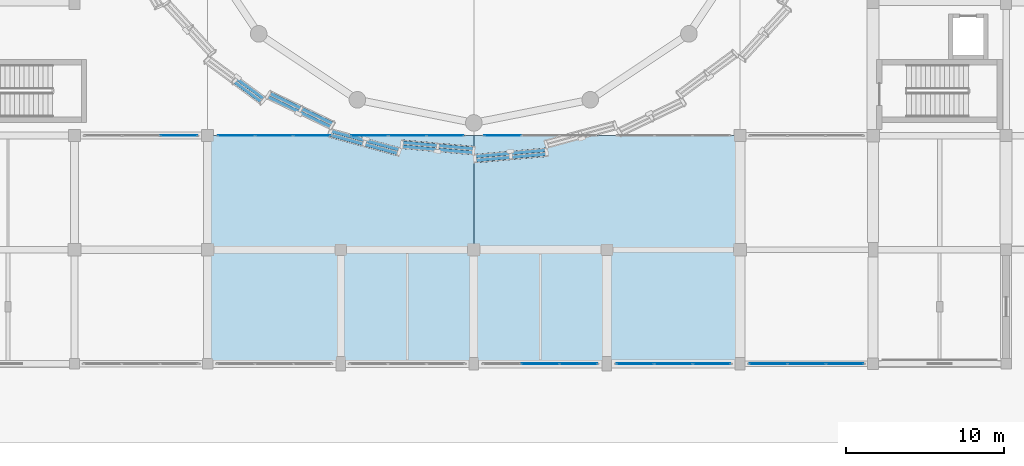
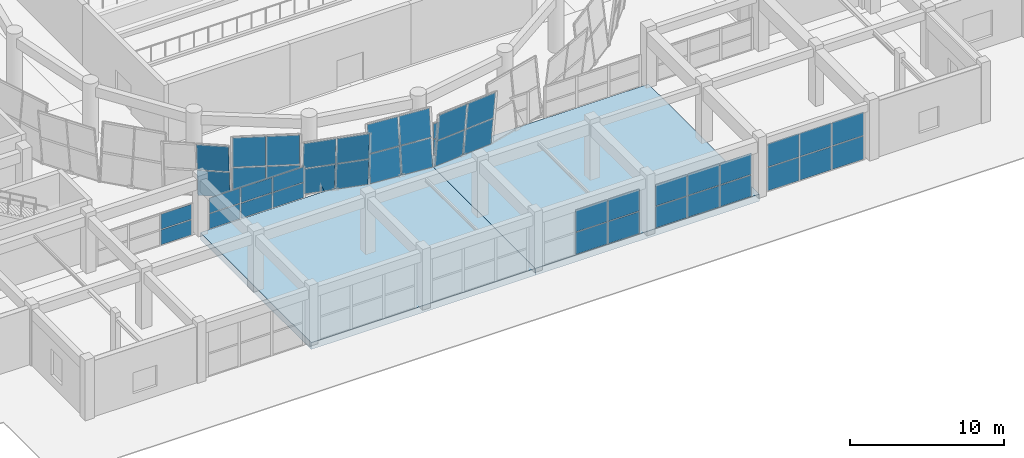
# One storey, part 40 of 72: 50 plates, 2 slabs, 12 elements without a shape of their own.
"""IFC4 building model written with IfcOpenShell, lengths in metres."""

import ifcopenshell
import ifcopenshell.guid

model = None  # the IFC model being written
_history = None  # IfcOwnerHistory: only IFC2X3 demands one
_inside = {}  # id of a spatial element -> (the spatial element, [elements in it])
_under = {}  # id of a project, library or spatial element -> (it, [spatial elements below it])
_declared = {}  # id of a project -> (the project, [libraries it declares])
_typed = {}  # id of a type object -> (the type object, [elements of that type])
_made_of = {}  # id of a material, layer set ... -> (it, [elements and type objects made of it])


def new_model(schema):
    """Start an empty IFC model of exactly this schema.

    Asked for "IFC4X3", IfcOpenShell would pick the latest addendum, in which some entities
    have other attributes; the version numbers below select the first issue.
    IFC2X3 requires an IfcOwnerHistory on every rooted entity: one is made here for all.
    """
    global model, _history
    if schema == "IFC4X3":
        model = ifcopenshell.file(schema_version=(4, 3, 0, 0))
    else:
        model = ifcopenshell.file(schema=schema)
    _inside.clear()
    _under.clear()
    _declared.clear()
    _typed.clear()
    _made_of.clear()
    _history = None
    if model.schema == "IFC2X3":
        org = make("IfcOrganization", Name="unknown")
        user = make(
            "IfcPersonAndOrganization",
            ThePerson=make("IfcPerson", FamilyName="unknown"),
            TheOrganization=org,
        )
        app = make(
            "IfcApplication",
            ApplicationDeveloper=org,
            Version="unknown",
            ApplicationFullName="unknown",
            ApplicationIdentifier="unknown",
        )
        _history = make(
            "IfcOwnerHistory",
            OwningUser=user,
            OwningApplication=app,
            ChangeAction="ADDED",
            CreationDate=0,
        )
    return model


def make(cls, **values):
    """One entity of the class cls with the attributes given. An attribute that is None is left unset."""
    return model.create_entity(
        cls, **{name: value for name, value in values.items() if value is not None}
    )


def rooted(cls, **values):
    """An entity with a GlobalId (a new one), such as an element, a storey or a relation."""
    return make(cls, GlobalId=ifcopenshell.guid.new(), OwnerHistory=_history, **values)


def si_unit(unit_type, name, prefix=None):
    """IfcSIUnit, for example si_unit("LENGTHUNIT", "METRE", prefix="MILLI")."""
    return make("IfcSIUnit", UnitType=unit_type, Prefix=prefix, Name=name)


def assignment(units):
    """IfcUnitAssignment: the units of a project."""
    return None if units is None else make("IfcUnitAssignment", Units=units)


def point(xyz):
    """IfcCartesianPoint."""
    return None if xyz is None else make("IfcCartesianPoint", Coordinates=xyz)


def direction(xyz):
    """IfcDirection."""
    return None if xyz is None else make("IfcDirection", DirectionRatios=xyz)


def frame(location, z_axis=None, x_axis=None):
    """IfcAxis2Placement3D, a coordinate frame: its origin and axes. An axis left out is left unset."""
    return make(
        "IfcAxis2Placement3D",
        Location=point(location),
        Axis=direction(z_axis),
        RefDirection=direction(x_axis),
    )


def frame_2d(location, x_axis=None):
    """IfcAxis2Placement2D, a coordinate frame in the plane: its origin and x axis."""
    return make(
        "IfcAxis2Placement2D", Location=point(location), RefDirection=direction(x_axis)
    )


def origin():
    """The frame at (0, 0, 0) with its axes left unset."""
    return frame((0.0, 0.0, 0.0))


def origin_2d():
    """The frame at (0, 0) in the plane with its x axis left unset."""
    return frame_2d((0.0, 0.0))


def place(relative_to, where):
    """IfcLocalPlacement: puts the frame where relative to a parent placement (None: the world)."""
    return make(
        "IfcLocalPlacement", PlacementRelTo=relative_to, RelativePlacement=where
    )


def context(
    kind, dimensions, precision=None, world=None, true_north=None, identifier=None
):
    """IfcGeometricRepresentationContext, for example the 3D "Model" context."""
    return make(
        "IfcGeometricRepresentationContext",
        ContextIdentifier=identifier,
        ContextType=kind,
        CoordinateSpaceDimension=dimensions,
        Precision=precision,
        WorldCoordinateSystem=world,
        TrueNorth=true_north,
    )


def subcontext(parent, identifier, kind, view, scale=None):
    """IfcGeometricRepresentationSubContext, for example "Body" below "Model"."""
    return make(
        "IfcGeometricRepresentationSubContext",
        ContextIdentifier=identifier,
        ContextType=kind,
        ParentContext=parent,
        TargetScale=scale,
        TargetView=view,
    )


def project(units=None, contexts=None):
    """IfcProject with its units and contexts."""
    return rooted(
        "IfcProject",
        Name="project",
        RepresentationContexts=contexts,
        UnitsInContext=assignment(units),
    )


def spatial(cls, under=None, at=None, **own):
    """A site, building, storey or space (cls), placed at a placement, below another one or the project."""
    s = rooted(cls, ObjectPlacement=at, **own)
    if under is not None:
        _under.setdefault(under.id(), (under, []))[1].append(s)
    return s


def polyline(points):
    """IfcPolyline through the points."""
    return make("IfcPolyline", Points=[point(p) for p in points])


def profile(cls, at=None, kind="AREA", **sizes):
    """A parametric profile (cls). Its sizes go by their IFC names, for example OverallWidth=200.0."""
    return make(cls, ProfileType=kind, Position=at, **sizes)


def rectangle(**sizes):
    """IfcRectangleProfileDef."""
    return profile("IfcRectangleProfileDef", **sizes)


def outline(outer, holes=None, kind="AREA"):
    """IfcArbitraryClosedProfileDef: a profile drawn as a closed curve; with holes, ...WithVoids."""
    if holes is None:
        return make("IfcArbitraryClosedProfileDef", ProfileType=kind, OuterCurve=outer)
    return make(
        "IfcArbitraryProfileDefWithVoids",
        ProfileType=kind,
        OuterCurve=outer,
        InnerCurves=holes,
    )


def extrude(swept, where, along, depth):
    """IfcExtrudedAreaSolid: the profile swept, set in the frame where, extruded along a direction by depth."""
    return make(
        "IfcExtrudedAreaSolid",
        SweptArea=swept,
        Position=where,
        ExtrudedDirection=direction(along),
        Depth=depth,
    )


def shape(context_of_items, identifier, shape_type, items):
    """IfcShapeRepresentation: the items that make up one representation, for example the "Body"."""
    return make(
        "IfcShapeRepresentation",
        ContextOfItems=context_of_items,
        RepresentationIdentifier=identifier,
        RepresentationType=shape_type,
        Items=items,
    )


def material(Name=None, Category=None):
    """IfcMaterial."""
    return make("IfcMaterial", Name=Name, Category=Category)


def layer(
    of_material, thickness, ventilated=None, Name=None, Category=None, Priority=None
):
    """IfcMaterialLayer: one layer of a wall or slab, of a material (None: an air gap)."""
    return make(
        "IfcMaterialLayer",
        Material=of_material,
        LayerThickness=thickness,
        IsVentilated=ventilated,
        Name=Name,
        Category=Category,
        Priority=Priority,
    )


def layer_set(layers, Name=None):
    """IfcMaterialLayerSet."""
    return make("IfcMaterialLayerSet", MaterialLayers=layers, LayerSetName=Name)


def made_of(thing, what):
    """Note that an element or type object is made of a material, layer set ...; save() writes the relation."""
    if what is not None:
        _made_of.setdefault(what.id(), (what, []))[1].append(thing)
    return thing


def type_object(cls, material=None, **own):
    """A type object (cls), such as IfcWallType, which elements share."""
    return made_of(rooted(cls, **own), material)


def element(
    cls,
    number,
    at=None,
    inside=None,
    cuts=None,
    type_object=None,
    material=None,
    context=None,
    identifier="Body",
    shape_type=None,
    held_by="IfcProductDefinitionShape",
    body=None,
    shapes=None,
    **own,
):
    """One element of the class cls, such as IfcWall. Its Tag is "e" and its number.

    at: its placement. inside: the storey or other place that contains it. cuts: it is an
    opening in that element (IfcRelVoidsElement). A single representation is given by context,
    identifier, shape_type and body (its items); several are given by shapes. held_by: the class
    of the entity that holds the representations. save() writes the other relations.
    """
    e = rooted(cls, Tag="e%d" % number, ObjectPlacement=at, **own)
    if body is not None:
        shapes = [shape(context, identifier, shape_type, body)]
    if shapes is not None:
        e.Representation = make(held_by, Representations=shapes)
    if inside is not None:
        _inside.setdefault(inside.id(), (inside, []))[1].append(e)
    if cuts is not None:
        rooted(
            "IfcRelVoidsElement", RelatingBuildingElement=cuts, RelatedOpeningElement=e
        )
    if type_object is not None:
        _typed.setdefault(type_object.id(), (type_object, []))[1].append(e)
    return made_of(e, material)


def aggregate(whole, parts):
    """IfcRelAggregates: a whole, such as a stair, and the parts it consists of."""
    return rooted("IfcRelAggregates", RelatingObject=whole, RelatedObjects=parts)


def save(model, path):
    """Write the relations noted so far, then the file.

    IfcRelAggregates (storeys below a building ...), IfcRelContainedInSpatialStructure (elements
    in a storey), IfcRelDefinesByType, IfcRelAssociatesMaterial and IfcRelDeclares: one each for
    every whole, place, type object, material and project.
    """
    for whole, parts in _under.values():
        aggregate(whole, parts)
    for where, things in _inside.values():
        rooted(
            "IfcRelContainedInSpatialStructure",
            RelatedElements=things,
            RelatingStructure=where,
        )
    for kind, things in _typed.values():
        rooted("IfcRelDefinesByType", RelatedObjects=things, RelatingType=kind)
    for what, things in _made_of.values():
        rooted("IfcRelAssociatesMaterial", RelatedObjects=things, RelatingMaterial=what)
    for by, libraries in _declared.values():
        rooted("IfcRelDeclares", RelatingContext=by, RelatedDefinitions=libraries)
    model.write(path)


model = new_model("IFC4")

# Units and contexts
model_context = context("Model", 3, precision=1e-05, world=origin(), true_north=direction((0.0, 1.0)))
body_context = subcontext(model_context, "Body", "Model", "MODEL_VIEW")
ifc_project = project(units=[si_unit("LENGTHUNIT", "METRE"), si_unit("AREAUNIT", "SQUARE_METRE"), si_unit("VOLUMEUNIT", "CUBIC_METRE"), si_unit("PLANEANGLEUNIT", "RADIAN"), si_unit("MASSUNIT", "GRAM", prefix="KILO")], contexts=[model_context])

# Site, building, storey
site_placement = place(None, origin())
site = spatial("IfcSite", under=ifc_project, at=site_placement, CompositionType="ELEMENT")
building_placement = place(site_placement, origin())
building = spatial("IfcBuilding", under=site, at=building_placement, Name="Korsvaeld Concert Hall", CompositionType="ELEMENT")
storey_placement = place(building_placement, origin())
storey = spatial("IfcBuildingStorey", under=building, at=storey_placement, Name="L00", CompositionType="ELEMENT", Elevation=0.0)

# Curtain wall, plates
ifc_material_1 = material(Name="Anodised bronze and ceramic-fritted safety glass", Category="glass")
curtain_wall_type_1 = type_object("IfcCurtainWallType", Name="CW-TYPE-09", PredefinedType="USERDEFINED", material=ifc_material_1)
curtain_wall_1_placement = place(storey_placement, origin())
curtain_wall_1 = element("IfcCurtainWall", 1, at=curtain_wall_1_placement, inside=storey, type_object=curtain_wall_type_1, Name="Wintergarden foyer curtain wall L00-01", ObjectType="CURTAIN WALL", PredefinedType="USERDEFINED")
ifc_material_2 = material(Name="Clear acoustic triple safety glazing", Category="glass")
ifc_layer_1 = layer(ifc_material_2, 0.0439453125)
ifc_layer_set_1 = layer_set([ifc_layer_1], Name="Clear acoustic triple safety glazing")
plate_type_1 = type_object("IfcPlateType", Name="CWP-CLEAR-44", PredefinedType="CURTAIN_PANEL", material=ifc_layer_set_1)
plate_1_placement = place(storey_placement, frame((107.418212890625, 28.800048828125, 0.06005859375), z_axis=(0.0, 0.0, 1.0), x_axis=(-1.0, 0.0, 0.0)))
plate_1 = element("IfcPlate", 2, at=plate_1_placement, type_object=plate_type_1, Name="CW-09 panel 1.1", PredefinedType="CURTAIN_PANEL", context=body_context, shape_type="SweptSolid", body=[
    extrude(rectangle(XDim=2.34326171875, YDim=0.0439453125, at=origin_2d()), origin(), (0.0, 0.0, 1.0), 1.830078125),
])
plate_2_placement = place(storey_placement, frame((107.418212890625, 28.800048828125, 1.949951171875), z_axis=(0.0, 0.0, 1.0), x_axis=(-1.0, 0.0, 0.0)))
plate_2 = element("IfcPlate", 3, at=plate_2_placement, type_object=plate_type_1, Name="CW-09 panel 1.2", PredefinedType="CURTAIN_PANEL", context=body_context, shape_type="SweptSolid", body=[
    extrude(rectangle(XDim=2.34326171875, YDim=0.0439453125, at=origin_2d()), origin(), (0.0, 0.0, 1.0), 1.830078125),
])
plate_3_placement = place(storey_placement, frame((105.0, 28.800048828125, 0.06005859375), z_axis=(0.0, 0.0, 1.0), x_axis=(-1.0, 0.0, 0.0)))
plate_3 = element("IfcPlate", 4, at=plate_3_placement, type_object=plate_type_1, Name="CW-09 panel 2.1", PredefinedType="CURTAIN_PANEL", context=body_context, shape_type="SweptSolid", body=[
    extrude(rectangle(XDim=2.373291015625, YDim=0.0439453125, at=origin_2d()), origin(), (0.0, 0.0, 1.0), 1.830078125),
])
plate_4_placement = place(storey_placement, frame((105.0, 28.800048828125, 1.949951171875), z_axis=(0.0, 0.0, 1.0), x_axis=(-1.0, 0.0, 0.0)))
plate_4 = element("IfcPlate", 5, at=plate_4_placement, type_object=plate_type_1, Name="CW-09 panel 2.2", PredefinedType="CURTAIN_PANEL", context=body_context, shape_type="SweptSolid", body=[
    extrude(rectangle(XDim=2.373291015625, YDim=0.0439453125, at=origin_2d()), origin(), (0.0, 0.0, 1.0), 1.830078125),
])
plate_5_placement = place(storey_placement, frame((102.581787109375, 28.800048828125, 0.06005859375), z_axis=(0.0, 0.0, 1.0), x_axis=(-1.0, 0.0, 0.0)))
plate_5 = element("IfcPlate", 6, at=plate_5_placement, type_object=plate_type_1, Name="CW-09 panel 3.1", PredefinedType="CURTAIN_PANEL", context=body_context, shape_type="SweptSolid", body=[
    extrude(rectangle(XDim=2.34326171875, YDim=0.0439453125, at=origin_2d()), origin(), (0.0, 0.0, 1.0), 1.830078125),
])
plate_6_placement = place(storey_placement, frame((102.581787109375, 28.800048828125, 1.949951171875), z_axis=(0.0, 0.0, 1.0), x_axis=(-1.0, 0.0, 0.0)))
plate_6 = element("IfcPlate", 7, at=plate_6_placement, type_object=plate_type_1, Name="CW-09 panel 3.2", PredefinedType="CURTAIN_PANEL", context=body_context, shape_type="SweptSolid", body=[
    extrude(rectangle(XDim=2.34326171875, YDim=0.0439453125, at=origin_2d()), origin(), (0.0, 0.0, 1.0), 1.830078125),
])
aggregate(curtain_wall_1, [plate_1, plate_2, plate_3, plate_4, plate_5, plate_6])

curtain_wall_type_2 = type_object("IfcCurtainWallType", Name="CW-TYPE-10", PredefinedType="USERDEFINED", material=ifc_material_1)
curtain_wall_2_placement = place(storey_placement, origin())
curtain_wall_2 = element("IfcCurtainWall", 8, at=curtain_wall_2_placement, inside=storey, type_object=curtain_wall_type_2, Name="Wintergarden foyer curtain wall L00-02", ObjectType="CURTAIN WALL", PredefinedType="USERDEFINED")
plate_7_placement = place(storey_placement, frame((99.018310546875, 28.800048828125, 0.06005859375), z_axis=(0.0, 0.0, 1.0), x_axis=(-1.0, 0.0, 0.0)))
plate_7 = element("IfcPlate", 9, at=plate_7_placement, type_object=plate_type_1, Name="CW-10 panel 1.1", PredefinedType="CURTAIN_PANEL", context=body_context, shape_type="SweptSolid", body=[
    extrude(rectangle(XDim=2.34326171875, YDim=0.0439453125, at=origin_2d()), origin(), (0.0, 0.0, 1.0), 1.679931640625),
])
plate_8_placement = place(storey_placement, frame((99.018310546875, 28.800048828125, 1.7998046875), z_axis=(0.0, 0.0, 1.0), x_axis=(-1.0, 0.0, 0.0)))
plate_8 = element("IfcPlate", 10, at=plate_8_placement, type_object=plate_type_1, Name="CW-10 panel 1.2", PredefinedType="CURTAIN_PANEL", context=body_context, shape_type="SweptSolid", body=[
    extrude(rectangle(XDim=2.34326171875, YDim=0.0439453125, at=origin_2d()), origin(), (0.0, 0.0, 1.0), 1.679931640625),
])
plate_9_placement = place(storey_placement, frame((96.60009765625, 28.800048828125, 0.06005859375), z_axis=(0.0, 0.0, 1.0), x_axis=(-1.0, 0.0, 0.0)))
plate_9 = element("IfcPlate", 11, at=plate_9_placement, type_object=plate_type_1, Name="CW-10 panel 2.1", PredefinedType="CURTAIN_PANEL", context=body_context, shape_type="SweptSolid", body=[
    extrude(rectangle(XDim=2.373291015625, YDim=0.0439453125, at=origin_2d()), origin(), (0.0, 0.0, 1.0), 1.679931640625),
])
plate_10_placement = place(storey_placement, frame((96.60009765625, 28.800048828125, 1.7998046875), z_axis=(0.0, 0.0, 1.0), x_axis=(-1.0, 0.0, 0.0)))
plate_10 = element("IfcPlate", 12, at=plate_10_placement, type_object=plate_type_1, Name="CW-10 panel 2.2", PredefinedType="CURTAIN_PANEL", context=body_context, shape_type="SweptSolid", body=[
    extrude(rectangle(XDim=2.373291015625, YDim=0.0439453125, at=origin_2d()), origin(), (0.0, 0.0, 1.0), 1.679931640625),
])
plate_11_placement = place(storey_placement, frame((94.181640625, 28.800048828125, 0.06005859375), z_axis=(0.0, 0.0, 1.0), x_axis=(-1.0, 0.0, 0.0)))
plate_11 = element("IfcPlate", 13, at=plate_11_placement, type_object=plate_type_1, Name="CW-10 panel 3.1", PredefinedType="CURTAIN_PANEL", context=body_context, shape_type="SweptSolid", body=[
    extrude(rectangle(XDim=2.34326171875, YDim=0.0439453125, at=origin_2d()), origin(), (0.0, 0.0, 1.0), 1.679931640625),
])
plate_12_placement = place(storey_placement, frame((94.181640625, 28.800048828125, 1.7998046875), z_axis=(0.0, 0.0, 1.0), x_axis=(-1.0, 0.0, 0.0)))
plate_12 = element("IfcPlate", 14, at=plate_12_placement, type_object=plate_type_1, Name="CW-10 panel 3.2", PredefinedType="CURTAIN_PANEL", context=body_context, shape_type="SweptSolid", body=[
    extrude(rectangle(XDim=2.34326171875, YDim=0.0439453125, at=origin_2d()), origin(), (0.0, 0.0, 1.0), 1.679931640625),
])
aggregate(curtain_wall_2, [plate_7, plate_8, plate_9, plate_10, plate_11, plate_12])

curtain_wall_type_3 = type_object("IfcCurtainWallType", Name="CW-TYPE-11", PredefinedType="USERDEFINED", material=ifc_material_1)
curtain_wall_3_placement = place(storey_placement, origin())
curtain_wall_3 = element("IfcCurtainWall", 15, at=curtain_wall_3_placement, inside=storey, type_object=curtain_wall_type_3, Name="Wintergarden foyer curtain wall L00-03", ObjectType="CURTAIN WALL", PredefinedType="USERDEFINED")
plate_13_placement = place(storey_placement, frame((90.618408203125, 28.800048828125, 0.06005859375), z_axis=(0.0, 0.0, 1.0), x_axis=(-1.0, 0.0, 0.0)))
plate_13 = element("IfcPlate", 16, at=plate_13_placement, type_object=plate_type_1, Name="CW-11 panel 1.1", PredefinedType="CURTAIN_PANEL", context=body_context, shape_type="SweptSolid", body=[
    extrude(rectangle(XDim=2.34326171875, YDim=0.0439453125, at=origin_2d()), origin(), (0.0, 0.0, 1.0), 1.72998046875),
])
plate_14_placement = place(storey_placement, frame((90.618408203125, 28.800048828125, 1.85009765625), z_axis=(0.0, 0.0, 1.0), x_axis=(-1.0, 0.0, 0.0)))
plate_14 = element("IfcPlate", 17, at=plate_14_placement, type_object=plate_type_1, Name="CW-11 panel 1.2", PredefinedType="CURTAIN_PANEL", context=body_context, shape_type="SweptSolid", body=[
    extrude(rectangle(XDim=2.34326171875, YDim=0.0439453125, at=origin_2d()), origin(), (0.0, 0.0, 1.0), 1.72998046875),
])
plate_15_placement = place(storey_placement, frame((88.199951171875, 28.800048828125, 0.06005859375), z_axis=(0.0, 0.0, 1.0), x_axis=(-1.0, 0.0, 0.0)))
plate_15 = element("IfcPlate", 18, at=plate_15_placement, type_object=plate_type_1, Name="CW-11 panel 2.1", PredefinedType="CURTAIN_PANEL", context=body_context, shape_type="SweptSolid", body=[
    extrude(rectangle(XDim=2.373291015625, YDim=0.0439453125, at=origin_2d()), origin(), (0.0, 0.0, 1.0), 1.72998046875),
])
plate_16_placement = place(storey_placement, frame((88.199951171875, 28.800048828125, 1.85009765625), z_axis=(0.0, 0.0, 1.0), x_axis=(-1.0, 0.0, 0.0)))
plate_16 = element("IfcPlate", 19, at=plate_16_placement, type_object=plate_type_1, Name="CW-11 panel 2.2", PredefinedType="CURTAIN_PANEL", context=body_context, shape_type="SweptSolid", body=[
    extrude(rectangle(XDim=2.373291015625, YDim=0.0439453125, at=origin_2d()), origin(), (0.0, 0.0, 1.0), 1.72998046875),
])
aggregate(curtain_wall_3, [plate_13, plate_14, plate_15, plate_16])

curtain_wall_4_placement = place(storey_placement, origin())
curtain_wall_4 = element("IfcCurtainWall", 20, at=curtain_wall_4_placement, inside=storey, type_object=curtain_wall_type_3, Name="Glazed foyer acoustic screen L00-19", ObjectType="CURTAIN WALL", PredefinedType="USERDEFINED")
plate_17_placement = place(storey_placement, frame((65.385009765625, 43.199951171875, 0.06005859375), z_axis=(0.0, 0.0, 1.0), x_axis=(1.0, 0.0, 0.0)))
plate_17 = element("IfcPlate", 21, at=plate_17_placement, type_object=plate_type_1, Name="CW-11 panel 3.1", PredefinedType="CURTAIN_PANEL", context=body_context, shape_type="SweptSolid", body=[
    extrude(rectangle(XDim=2.31005859375, YDim=0.0439453125, at=origin_2d()), origin(), (0.0, 0.0, 1.0), 1.18505859375),
])
plate_18_placement = place(storey_placement, frame((65.385009765625, 43.199951171875, 1.304931640625), z_axis=(0.0, 0.0, 1.0), x_axis=(1.0, 0.0, 0.0)))
plate_18 = element("IfcPlate", 22, at=plate_18_placement, type_object=plate_type_1, Name="CW-11 panel 3.2", PredefinedType="CURTAIN_PANEL", context=body_context, shape_type="SweptSolid", body=[
    extrude(rectangle(XDim=2.31005859375, YDim=0.0439453125, at=origin_2d()), origin(), (0.0, 0.0, 1.0), 1.18505859375),
])
aggregate(curtain_wall_4, [plate_17, plate_18])

curtain_wall_type_4 = type_object("IfcCurtainWallType", Name="CW-TYPE-12", PredefinedType="USERDEFINED", material=ifc_material_1)
curtain_wall_5_placement = place(storey_placement, origin())
curtain_wall_5 = element("IfcCurtainWall", 23, at=curtain_wall_5_placement, inside=storey, type_object=curtain_wall_type_4, Name="Glazed foyer acoustic screen L00-20", ObjectType="CURTAIN WALL", PredefinedType="USERDEFINED")
plate_19_placement = place(storey_placement, frame((69.014892578125, 43.199951171875, 0.06005859375), z_axis=(0.0, 0.0, 1.0), x_axis=(1.0, 0.0, 0.0)))
plate_19 = element("IfcPlate", 24, at=plate_19_placement, type_object=plate_type_1, Name="CW-12 panel 1.1", PredefinedType="CURTAIN_PANEL", context=body_context, shape_type="SweptSolid", body=[
    extrude(rectangle(XDim=2.31005859375, YDim=0.0439453125, at=origin_2d()), origin(), (0.0, 0.0, 1.0), 1.18505859375),
])
plate_20_placement = place(storey_placement, frame((69.014892578125, 43.199951171875, 1.304931640625), z_axis=(0.0, 0.0, 1.0), x_axis=(1.0, 0.0, 0.0)))
plate_20 = element("IfcPlate", 25, at=plate_20_placement, type_object=plate_type_1, Name="CW-12 panel 1.2", PredefinedType="CURTAIN_PANEL", context=body_context, shape_type="SweptSolid", body=[
    extrude(rectangle(XDim=2.31005859375, YDim=0.0439453125, at=origin_2d()), origin(), (0.0, 0.0, 1.0), 1.18505859375),
])
plate_21_placement = place(storey_placement, frame((71.39990234375, 43.199951171875, 0.06005859375), z_axis=(0.0, 0.0, 1.0), x_axis=(1.0, 0.0, 0.0)))
plate_21 = element("IfcPlate", 26, at=plate_21_placement, type_object=plate_type_1, Name="CW-12 panel 2.1", PredefinedType="CURTAIN_PANEL", context=body_context, shape_type="SweptSolid", body=[
    extrude(rectangle(XDim=2.340087890625, YDim=0.0439453125, at=origin_2d()), origin(), (0.0, 0.0, 1.0), 1.18505859375),
])
plate_22_placement = place(storey_placement, frame((71.39990234375, 43.199951171875, 1.304931640625), z_axis=(0.0, 0.0, 1.0), x_axis=(1.0, 0.0, 0.0)))
plate_22 = element("IfcPlate", 27, at=plate_22_placement, type_object=plate_type_1, Name="CW-12 panel 2.2", PredefinedType="CURTAIN_PANEL", context=body_context, shape_type="SweptSolid", body=[
    extrude(rectangle(XDim=2.340087890625, YDim=0.0439453125, at=origin_2d()), origin(), (0.0, 0.0, 1.0), 1.18505859375),
])
plate_23_placement = place(storey_placement, frame((73.784912109375, 43.199951171875, 0.06005859375), z_axis=(0.0, 0.0, 1.0), x_axis=(1.0, 0.0, 0.0)))
plate_23 = element("IfcPlate", 28, at=plate_23_placement, type_object=plate_type_1, Name="CW-12 panel 3.1", PredefinedType="CURTAIN_PANEL", context=body_context, shape_type="SweptSolid", body=[
    extrude(rectangle(XDim=2.31005859375, YDim=0.0439453125, at=origin_2d()), origin(), (0.0, 0.0, 1.0), 1.18505859375),
])
plate_24_placement = place(storey_placement, frame((73.784912109375, 43.199951171875, 1.304931640625), z_axis=(0.0, 0.0, 1.0), x_axis=(1.0, 0.0, 0.0)))
plate_24 = element("IfcPlate", 29, at=plate_24_placement, type_object=plate_type_1, Name="CW-12 panel 3.2", PredefinedType="CURTAIN_PANEL", context=body_context, shape_type="SweptSolid", body=[
    extrude(rectangle(XDim=2.31005859375, YDim=0.0439453125, at=origin_2d()), origin(), (0.0, 0.0, 1.0), 1.18505859375),
])
aggregate(curtain_wall_5, [plate_19, plate_20, plate_21, plate_22, plate_23, plate_24])

curtain_wall_type_5 = type_object("IfcCurtainWallType", Name="CW-TYPE-13", PredefinedType="USERDEFINED", material=ifc_material_1)
curtain_wall_6_placement = place(storey_placement, origin())
curtain_wall_6 = element("IfcCurtainWall", 30, at=curtain_wall_6_placement, inside=storey, type_object=curtain_wall_type_5, Name="Glazed foyer acoustic screen L00-21", ObjectType="CURTAIN WALL", PredefinedType="USERDEFINED")
plate_25_placement = place(storey_placement, frame((77.4150390625, 43.199951171875, 0.06005859375), z_axis=(0.0, 0.0, 1.0), x_axis=(1.0, 0.0, 0.0)))
plate_25 = element("IfcPlate", 31, at=plate_25_placement, type_object=plate_type_1, Name="CW-13 panel 1.1", PredefinedType="CURTAIN_PANEL", context=body_context, shape_type="SweptSolid", body=[
    extrude(rectangle(XDim=2.31005859375, YDim=0.0439453125, at=origin_2d()), origin(), (0.0, 0.0, 1.0), 1.18505859375),
])
plate_26_placement = place(storey_placement, frame((77.4150390625, 43.199951171875, 1.304931640625), z_axis=(0.0, 0.0, 1.0), x_axis=(1.0, 0.0, 0.0)))
plate_26 = element("IfcPlate", 32, at=plate_26_placement, type_object=plate_type_1, Name="CW-13 panel 1.2", PredefinedType="CURTAIN_PANEL", context=body_context, shape_type="SweptSolid", body=[
    extrude(rectangle(XDim=2.31005859375, YDim=0.0439453125, at=origin_2d()), origin(), (0.0, 0.0, 1.0), 1.18505859375),
])
plate_27_placement = place(storey_placement, frame((79.800048828125, 43.199951171875, 0.06005859375), z_axis=(0.0, 0.0, 1.0), x_axis=(1.0, 0.0, 0.0)))
plate_27 = element("IfcPlate", 33, at=plate_27_placement, type_object=plate_type_1, Name="CW-13 panel 2.1", PredefinedType="CURTAIN_PANEL", context=body_context, shape_type="SweptSolid", body=[
    extrude(rectangle(XDim=2.340087890625, YDim=0.0439453125, at=origin_2d()), origin(), (0.0, 0.0, 1.0), 1.18505859375),
])
plate_28_placement = place(storey_placement, frame((79.800048828125, 43.199951171875, 1.304931640625), z_axis=(0.0, 0.0, 1.0), x_axis=(1.0, 0.0, 0.0)))
plate_28 = element("IfcPlate", 34, at=plate_28_placement, type_object=plate_type_1, Name="CW-13 panel 2.2", PredefinedType="CURTAIN_PANEL", context=body_context, shape_type="SweptSolid", body=[
    extrude(rectangle(XDim=2.340087890625, YDim=0.0439453125, at=origin_2d()), origin(), (0.0, 0.0, 1.0), 1.18505859375),
])
plate_29_placement = place(storey_placement, frame((82.18505859375, 43.199951171875, 0.06005859375), z_axis=(0.0, 0.0, 1.0), x_axis=(1.0, 0.0, 0.0)))
plate_29 = element("IfcPlate", 35, at=plate_29_placement, type_object=plate_type_1, Name="CW-13 panel 3.1", PredefinedType="CURTAIN_PANEL", context=body_context, shape_type="SweptSolid", body=[
    extrude(rectangle(XDim=2.31005859375, YDim=0.0439453125, at=origin_2d()), origin(), (0.0, 0.0, 1.0), 1.18505859375),
])
plate_30_placement = place(storey_placement, frame((82.18505859375, 43.199951171875, 1.304931640625), z_axis=(0.0, 0.0, 1.0), x_axis=(1.0, 0.0, 0.0)))
plate_30 = element("IfcPlate", 36, at=plate_30_placement, type_object=plate_type_1, Name="CW-13 panel 3.2", PredefinedType="CURTAIN_PANEL", context=body_context, shape_type="SweptSolid", body=[
    extrude(rectangle(XDim=2.31005859375, YDim=0.0439453125, at=origin_2d()), origin(), (0.0, 0.0, 1.0), 1.18505859375),
])
aggregate(curtain_wall_6, [plate_25, plate_26, plate_27, plate_28, plate_29, plate_30])

curtain_wall_type_6 = type_object("IfcCurtainWallType", Name="CW-TYPE-14", PredefinedType="USERDEFINED", material=ifc_material_1)
curtain_wall_7_placement = place(storey_placement, origin())
curtain_wall_7 = element("IfcCurtainWall", 37, at=curtain_wall_7_placement, inside=storey, type_object=curtain_wall_type_6, Name="Glazed foyer acoustic screen L00-22", ObjectType="CURTAIN WALL", PredefinedType="USERDEFINED")
plate_31_placement = place(storey_placement, frame((85.81494140625, 43.199951171875, 0.06005859375), z_axis=(0.0, 0.0, 1.0), x_axis=(1.0, 0.0, 0.0)))
plate_31 = element("IfcPlate", 38, at=plate_31_placement, type_object=plate_type_1, Name="CW-14 panel 1.1", PredefinedType="CURTAIN_PANEL", context=body_context, shape_type="SweptSolid", body=[
    extrude(rectangle(XDim=2.31005859375, YDim=0.0439453125, at=origin_2d()), origin(), (0.0, 0.0, 1.0), 1.18505859375),
])
plate_32_placement = place(storey_placement, frame((85.81494140625, 43.199951171875, 1.304931640625), z_axis=(0.0, 0.0, 1.0), x_axis=(1.0, 0.0, 0.0)))
plate_32 = element("IfcPlate", 39, at=plate_32_placement, type_object=plate_type_1, Name="CW-14 panel 1.2", PredefinedType="CURTAIN_PANEL", context=body_context, shape_type="SweptSolid", body=[
    extrude(rectangle(XDim=2.31005859375, YDim=0.0439453125, at=origin_2d()), origin(), (0.0, 0.0, 1.0), 1.18505859375),
])
aggregate(curtain_wall_7, [plate_31, plate_32])

curtain_wall_type_7 = type_object("IfcCurtainWallType", Name="CW-TYPE-05", PredefinedType="USERDEFINED", material=ifc_material_1)
curtain_wall_8_placement = place(storey_placement, origin())
curtain_wall_8 = element("IfcCurtainWall", 40, at=curtain_wall_8_placement, inside=storey, type_object=curtain_wall_type_7, Name="Crystal curtain-wall facet L00 F21", ObjectType="CURTAIN WALL", PredefinedType="USERDEFINED")
ifc_material_3 = material(Name="Translucent ceramic-fritted crystal safety glass", Category="glass")
ifc_layer_2 = layer(ifc_material_3, 0.035888671875)
ifc_layer_set_2 = layer_set([ifc_layer_2], Name="Translucent ceramic-fritted crystal safety glass")
plate_type_2 = type_object("IfcPlateType", Name="CWP-CRYSTAL-36", PredefinedType="CURTAIN_PANEL", material=ifc_layer_set_2)
plate_33_placement = place(storey_placement, frame((69.1259765625, 46.86376953125, 0.06005859375), z_axis=(-0.589628541717, -0.799782920515, -0.112629760032), x_axis=(0.804904507896, -0.593404358906, 0.0)))
plate_33 = element("IfcPlate", 41, at=plate_33_placement, type_object=plate_type_2, Name="CW-CRYS-L00-F21 ceramic-fritted crystal panel 2.1", PredefinedType="CURTAIN_PANEL", context=body_context, shape_type="SweptSolid", body=[
    extrude(outline(polyline([(0.0, 0.0), (2.1089579558479716, 0.0), (2.083272476869437, 2.1636697204112654), (-0.02568547897853471, 2.1636697204112654), (0.0, 0.0)])), frame((0.0, 0.0, 0.01806640625)), (0.0, 0.0, -1.0), 0.035888671875),
])
plate_34_placement = place(storey_placement, frame((68.9560546875, 46.677734375, 2.27001953125), z_axis=(-0.589609349397, -0.799814399343, -0.112506629614), x_axis=(0.804925146256, -0.593376363626, -3.83923e-06)))
plate_34 = element("IfcPlate", 42, at=plate_34_placement, type_object=plate_type_2, Name="CW-CRYS-L00-F21 ceramic-fritted crystal panel 2.2", PredefinedType="CURTAIN_PANEL", context=body_context, shape_type="SweptSolid", body=[
    extrude(outline(polyline([(0.0, 0.0), (2.1091544694851345, 2.7755575615628914e-17), (2.0833073935105335, 2.163647395455032), (-0.02565056104631553, 2.1636310976757125), (0.0, 0.0)])), frame((0.0, 0.0, 0.01806640625)), (0.0, 0.0, -1.0), 0.035888671875),
])
aggregate(curtain_wall_8, [plate_33, plate_34])

curtain_wall_type_8 = type_object("IfcCurtainWallType", Name="CW-TYPE-06", PredefinedType="USERDEFINED", material=ifc_material_1)
curtain_wall_9_placement = place(storey_placement, origin())
curtain_wall_9 = element("IfcCurtainWall", 43, at=curtain_wall_9_placement, inside=storey, type_object=curtain_wall_type_8, Name="Crystal curtain-wall facet L00 F22", ObjectType="CURTAIN WALL", PredefinedType="USERDEFINED")
plate_35_placement = place(storey_placement, frame((70.959716796875, 45.546142578125, 0.06005859375), z_axis=(-0.43008915634, -0.895713547893, 0.11278544995), x_axis=(0.901465751884, -0.432850433923, 5.734974e-06)))
plate_35 = element("IfcPlate", 44, at=plate_35_placement, type_object=plate_type_2, Name="CW-CRYS-L00-F22 ceramic-fritted crystal panel 1.1", PredefinedType="CURTAIN_PANEL", context=body_context, shape_type="SweptSolid", body=[
    extrude(outline(polyline([(0.0, 0.0), (2.150308575213236, 1.3877787807814457e-17), (2.1721311725912797, 2.163695639036035), (0.02171692100257428, 2.1637204619576633), (0.0, 0.0)])), frame((0.0, 0.0, 0.01806640625)), (0.0, 0.0, -1.0), 0.035888671875),
])
plate_36_placement = place(storey_placement, frame((71.08837890625, 45.7626953125, 2.27001953125), z_axis=(-0.430093440081, -0.895717809516, 0.112735258524), x_axis=(0.901464591462, -0.432852850679, 0.0)))
plate_36 = element("IfcPlate", 45, at=plate_36_placement, type_object=plate_type_2, Name="CW-CRYS-L00-F22 ceramic-fritted crystal panel 1.2", PredefinedType="CURTAIN_PANEL", context=body_context, shape_type="SweptSolid", body=[
    extrude(outline(polyline([(0.0, 0.0), (2.150634336043882, 1.3877787807814457e-17), (2.17244394984622, 2.16369577270949), (0.02180961380233759, 2.16369577270949), (0.0, 0.0)])), frame((0.0, 0.0, 0.01806640625)), (0.0, 0.0, -1.0), 0.035888671875),
])
plate_37_placement = place(storey_placement, frame((72.9658203125, 44.5830078125, 0.06005859375), z_axis=(-0.430093440081, -0.895717809516, 0.112735258524), x_axis=(0.901464591462, -0.432852850679, 0.0)))
plate_37 = element("IfcPlate", 46, at=plate_37_placement, type_object=plate_type_2, Name="CW-CRYS-L00-F22 ceramic-fritted crystal panel 2.1", PredefinedType="CURTAIN_PANEL", context=body_context, shape_type="SweptSolid", body=[
    extrude(outline(polyline([(0.0, 0.0), (2.150634336043882, 1.3877787807814457e-17), (2.17244394984622, 2.16369577270949), (0.02180961380233759, 2.16369577270949), (0.0, 0.0)])), frame((0.0, 0.0, 0.01806640625)), (0.0, 0.0, -1.0), 0.035888671875),
])
plate_38_placement = place(storey_placement, frame((73.0947265625, 44.79931640625, 2.27001953125), z_axis=(-0.430045165703, -0.895734730713, 0.112784961986), x_axis=(0.901486456997, -0.432807310265, -5.734217e-06)))
plate_38 = element("IfcPlate", 47, at=plate_38_placement, type_object=plate_type_2, Name="CW-CRYS-L00-F22 ceramic-fritted crystal panel 2.2", PredefinedType="CURTAIN_PANEL", context=body_context, shape_type="SweptSolid", body=[
    extrude(outline(polyline([(0.0, 0.0), (2.150634333264282, 0.0), (2.1723382756883742, 2.1637205921825498), (0.021809608271324717, 2.16369577000242), (0.0, 0.0)])), frame((0.0, 0.0, 0.01806640625)), (0.0, 0.0, -1.0), 0.035888671875),
])
aggregate(curtain_wall_9, [plate_35, plate_36, plate_37, plate_38])

curtain_wall_type_9 = type_object("IfcCurtainWallType", Name="CW-TYPE-07", PredefinedType="USERDEFINED", material=ifc_material_1)
curtain_wall_10_placement = place(storey_placement, origin())
curtain_wall_10 = element("IfcCurtainWall", 48, at=curtain_wall_10_placement, inside=storey, type_object=curtain_wall_type_9, Name="Crystal curtain-wall facet L00 F23", ObjectType="CURTAIN WALL", PredefinedType="USERDEFINED")
plate_39_placement = place(storey_placement, frame((75.038818359375, 43.587646484375, 0.06005859375), z_axis=(-0.261201784594, -0.958647792533, -0.112995741501), x_axis=(0.964826873019, -0.262886106638, 6.060045e-06)))
plate_39 = element("IfcPlate", 49, at=plate_39_placement, type_object=plate_type_2, Name="CW-CRYS-L00-F23 ceramic-fritted crystal panel 1.1", PredefinedType="CURTAIN_PANEL", context=body_context, shape_type="SweptSolid", body=[
    extrude(outline(polyline([(0.0, 0.0), (2.1820030460556112, 0.0), (2.167375541129939, 2.1637469870988224), (-0.01456332374729365, 2.1637736032475146), (0.0, 0.0)])), frame((0.0, 0.0, 0.01806640625)), (0.0, 0.0, -1.0), 0.035888671875),
])
plate_40_placement = place(storey_placement, frame((74.958251953125, 43.34912109375, 2.27001953125), z_axis=(-0.261251910647, -0.958627755537, -0.113049836343), x_axis=(0.964812863187, -0.26293751925, 0.0)))
plate_40 = element("IfcPlate", 50, at=plate_40_placement, type_object=plate_type_2, Name="CW-CRYS-L00-F23 ceramic-fritted crystal panel 1.2", PredefinedType="CURTAIN_PANEL", context=body_context, shape_type="SweptSolid", body=[
    extrude(outline(polyline([(0.0, 0.0), (2.182003049193611, 0.0), (2.167439731743261, 2.163773606454334), (-0.014563317450350048, 2.163773606454334), (0.0, 0.0)])), frame((0.0, 0.0, 0.01806640625)), (0.0, 0.0, -1.0), 0.035888671875),
])
plate_41_placement = place(storey_placement, frame((77.21630859375, 42.994140625, 0.06005859375), z_axis=(-0.26122997956, -0.958640086728, -0.112995937528), x_axis=(0.964819501582, -0.262913159294, -6.060839e-06)))
plate_41 = element("IfcPlate", 51, at=plate_41_placement, type_object=plate_type_2, Name="CW-CRYS-L00-F23 ceramic-fritted crystal panel 2.1", PredefinedType="CURTAIN_PANEL", context=body_context, shape_type="SweptSolid", body=[
    extrude(outline(polyline([(0.0, 0.0), (2.181703309038888, 0.0), (2.1671207852908574, 2.1637734739363688), (-0.014646711531061306, 2.163746857171867), (0.0, 0.0)])), frame((0.0, 0.0, 0.01806640625)), (0.0, 0.0, -1.0), 0.035888671875),
])
plate_42_placement = place(storey_placement, frame((77.1357421875, 42.755615234375, 2.27001953125), z_axis=(-0.26122997956, -0.958640086728, -0.112995937528), x_axis=(0.964819501582, -0.262913159294, -6.060839e-06)))
plate_42 = element("IfcPlate", 52, at=plate_42_placement, type_object=plate_type_2, Name="CW-CRYS-L00-F23 ceramic-fritted crystal panel 2.2", PredefinedType="CURTAIN_PANEL", context=body_context, shape_type="SweptSolid", body=[
    extrude(outline(polyline([(0.0, 0.0), (2.181703309038888, 0.0), (2.1671207852908574, 2.1637734739363688), (-0.014646711531061306, 2.163746857171867), (0.0, 0.0)])), frame((0.0, 0.0, 0.01806640625)), (0.0, 0.0, -1.0), 0.035888671875),
])
aggregate(curtain_wall_10, [plate_39, plate_40, plate_41, plate_42])

curtain_wall_type_10 = type_object("IfcCurtainWallType", Name="CW-TYPE-08", PredefinedType="USERDEFINED", material=ifc_material_1)
curtain_wall_11_placement = place(storey_placement, origin())
curtain_wall_11 = element("IfcCurtainWall", 53, at=curtain_wall_11_placement, inside=storey, type_object=curtain_wall_type_10, Name="Crystal curtain-wall facet L00 F24", ObjectType="CURTAIN WALL", PredefinedType="USERDEFINED")
plate_43_placement = place(storey_placement, frame((79.471435546875, 42.407470703125, 0.06005859375), z_axis=(-0.087551103043, -0.989708121355, 0.113192927695), x_axis=(0.996110155885, -0.088116725448, 6.22033e-06)))
plate_43 = element("IfcPlate", 54, at=plate_43_placement, type_object=plate_type_2, Name="CW-CRYS-L00-F24 ceramic-fritted crystal panel 1.1", PredefinedType="CURTAIN_PANEL", context=body_context, shape_type="SweptSolid", body=[
    extrude(outline(polyline([(0.0, 0.0), (2.198482583391229, 3.469446951953614e-18), (2.2035554368946175, 2.1637952896141024), (0.005051340630965451, 2.163822817243362), (0.0, 0.0)])), frame((0.0, 0.0, 0.01806640625)), (0.0, 0.0, -1.0), 0.035888671875),
])
plate_44_placement = place(storey_placement, frame((79.498779296875, 42.657958984375, 2.27001953125), z_axis=(-0.087601503543, -0.989709430143, 0.113142478593), x_axis=(0.99610564442, -0.088167710387, -5.50326e-07)))
plate_44 = element("IfcPlate", 55, at=plate_44_placement, type_object=plate_type_2, Name="CW-CRYS-L00-F24 ceramic-fritted crystal panel 1.2", PredefinedType="CURTAIN_PANEL", context=body_context, shape_type="SweptSolid", body=[
    extrude(outline(polyline([(0.0, 0.0), (2.198504099729517, 0.0), (2.2037930566288266, 2.163797791854089), (0.005045767044714828, 2.1637953562930665), (0.0, 0.0)])), frame((0.0, 0.0, 0.01806640625)), (0.0, 0.0, -1.0), 0.035888671875),
])
plate_45_placement = place(storey_placement, frame((81.736083984375, 42.207275390625, 0.06005859375), z_axis=(-0.087606397796, -0.989709556969, 0.113137579566), x_axis=(0.996105218313, -0.088172524341, 0.0)))
plate_45 = element("IfcPlate", 56, at=plate_45_placement, type_object=plate_type_2, Name="CW-CRYS-L00-F24 ceramic-fritted crystal panel 2.1", PredefinedType="CURTAIN_PANEL", context=body_context, shape_type="SweptSolid", body=[
    extrude(outline(polyline([(0.0, 0.0), (2.198504099755524, 0.0), (2.2035498668521925, 2.1637953563193695), (0.005045767096668624, 2.1637953563193695), (0.0, 0.0)])), frame((0.0, 0.0, 0.01806640625)), (0.0, 0.0, -1.0), 0.035888671875),
])
plate_46_placement = place(storey_placement, frame((81.763427734375, 42.45751953125, 2.27001953125), z_axis=(-0.08755100451, -0.989707007502, 0.113202742503), x_axis=(0.996110030986, -0.088118137354, -6.220802e-06)))
plate_46 = element("IfcPlate", 57, at=plate_46_placement, type_object=plate_type_2, Name="CW-CRYS-L00-F24 ceramic-fritted crystal panel 2.2", PredefinedType="CURTAIN_PANEL", context=body_context, shape_type="SweptSolid", body=[
    extrude(outline(polyline([(0.0, 0.0), (2.198504096435997, 6.938893903907228e-18), (2.2037715334350363, 2.163825318270832), (0.005288950216166418, 2.1637977885240782), (0.0, 0.0)])), frame((0.0, 0.0, 0.01806640625)), (0.0, 0.0, -1.0), 0.035888671875),
])
aggregate(curtain_wall_11, [plate_43, plate_44, plate_45, plate_46])

curtain_wall_type_11 = type_object("IfcCurtainWallType", Name="CW-TYPE-01", PredefinedType="USERDEFINED", material=ifc_material_1)
curtain_wall_12_placement = place(storey_placement, origin())
curtain_wall_12 = element("IfcCurtainWall", 58, at=curtain_wall_12_placement, inside=storey, type_object=curtain_wall_type_11, Name="Crystal curtain-wall facet L00 F25", ObjectType="CURTAIN WALL", PredefinedType="USERDEFINED")
plate_47_placement = place(storey_placement, frame((84.075439453125, 41.999755859375, 0.06005859375), z_axis=(0.087601503543, -0.989709430143, -0.113142478593), x_axis=(0.99610564442, 0.088167710387, -5.50326e-07)))
plate_47 = element("IfcPlate", 59, at=plate_47_placement, type_object=plate_type_2, Name="CW-CRYS-L00-F25 ceramic-fritted crystal panel 1.1", PredefinedType="CURTAIN_PANEL", context=body_context, shape_type="SweptSolid", body=[
    extrude(outline(polyline([(0.0, 0.0), (2.198504099729517, 0.0), (2.2037930566288266, 2.163797791854089), (0.005045767044714828, 2.1637953562930665), (0.0, 0.0)])), frame((0.0, 0.0, 0.01806640625)), (0.0, 0.0, -1.0), 0.035888671875),
])
plate_48_placement = place(storey_placement, frame((84.102783203125, 41.74951171875, 2.27001953125), z_axis=(0.087546211839, -0.989707994074, -0.113197823562), x_axis=(0.996110467623, 0.088113201398, -5.669663e-06)))
plate_48 = element("IfcPlate", 60, at=plate_48_placement, type_object=plate_type_2, Name="CW-CRYS-L00-F25 ceramic-fritted crystal panel 1.2", PredefinedType="CURTAIN_PANEL", context=body_context, shape_type="SweptSolid", body=[
    extrude(outline(polyline([(0.0, 0.0), (2.1987472868535316, 3.469446951953614e-18), (2.2037739320986867, 2.1638228753229254), (0.005291348289349513, 2.1637977832314537), (0.0, 0.0)])), frame((0.0, 0.0, 0.01806640625)), (0.0, 0.0, -1.0), 0.035888671875),
])
plate_49_placement = place(storey_placement, frame((86.340087890625, 42.2001953125, 0.06005859375), z_axis=(0.08755100451, -0.989707007502, -0.113202742503), x_axis=(0.996110030986, 0.088118137354, -6.220802e-06)))
plate_49 = element("IfcPlate", 61, at=plate_49_placement, type_object=plate_type_2, Name="CW-CRYS-L00-F25 ceramic-fritted crystal panel 2.1", PredefinedType="CURTAIN_PANEL", context=body_context, shape_type="SweptSolid", body=[
    extrude(outline(polyline([(0.0, 0.0), (2.198504096435997, 6.938893903907228e-18), (2.2037715334350363, 2.163825318270832), (0.005288950216166418, 2.1637977885240782), (0.0, 0.0)])), frame((0.0, 0.0, 0.01806640625)), (0.0, 0.0, -1.0), 0.035888671875),
])
plate_50_placement = place(storey_placement, frame((86.36767578125, 41.949951171875, 2.27001953125), z_axis=(0.087605283299, -0.989696966233, -0.113248529205), x_axis=(0.996105218313, 0.088172524341, 0.0)))
plate_50 = element("IfcPlate", 62, at=plate_50_placement, type_object=plate_type_2, Name="CW-CRYS-L00-F25 ceramic-fritted crystal panel 2.2", PredefinedType="CURTAIN_PANEL", context=body_context, shape_type="SweptSolid", body=[
    extrude(outline(polyline([(0.0, 0.0), (2.198504099755524, 3.469446951953614e-18), (2.203528340356992, 2.1638228837101168), (0.005024240601468128, 2.1638228837101168), (0.0, 0.0)])), frame((0.0, 0.0, 0.01806640625)), (0.0, 0.0, -1.0), 0.035888671875),
])
aggregate(curtain_wall_12, [plate_47, plate_48, plate_49, plate_50])

# Slabs
ifc_material_4 = material(Name="Concrete C35/45", Category="concrete")
ifc_layer_3 = layer(ifc_material_4, 0.550048828125)
ifc_layer_set_3 = layer_set([ifc_layer_3], Name="Concrete C35/45")
slab_type = type_object("IfcSlabType", Name="SLB-GND-550", PredefinedType="BASESLAB", material=ifc_layer_set_3)
slab_1_placement = place(storey_placement, frame((0.0, 0.0, -0.550048828125)))
element("IfcSlab", 63, at=slab_1_placement, inside=storey, type_object=slab_type, Name="Structural slab L00 V4_PASS_C 2.1", PredefinedType="BASESLAB", context=body_context, shape_type="SweptSolid", body=[
    extrude(outline(polyline([(67.199951171875, 28.800048828125), (67.199951171875, 43.199951171875), (84.0, 43.199951171875), (84.0, 28.800048828125), (67.199951171875, 28.800048828125)])), origin(), (0.0, 0.0, 1.0), 0.550048828125),
])
slab_2_placement = place(storey_placement, frame((0.0, 0.0, -0.550048828125)))
element("IfcSlab", 64, at=slab_2_placement, inside=storey, type_object=slab_type, Name="Structural slab L00 V4_PASS_C 3.1", PredefinedType="BASESLAB", context=body_context, shape_type="SweptSolid", body=[
    extrude(outline(polyline([(84.0, 28.800048828125), (84.0, 43.199951171875), (100.800048828125, 43.199951171875), (100.800048828125, 28.800048828125), (84.0, 28.800048828125)])), origin(), (0.0, 0.0, 1.0), 0.550048828125),
])

save(model, "model.ifc")
